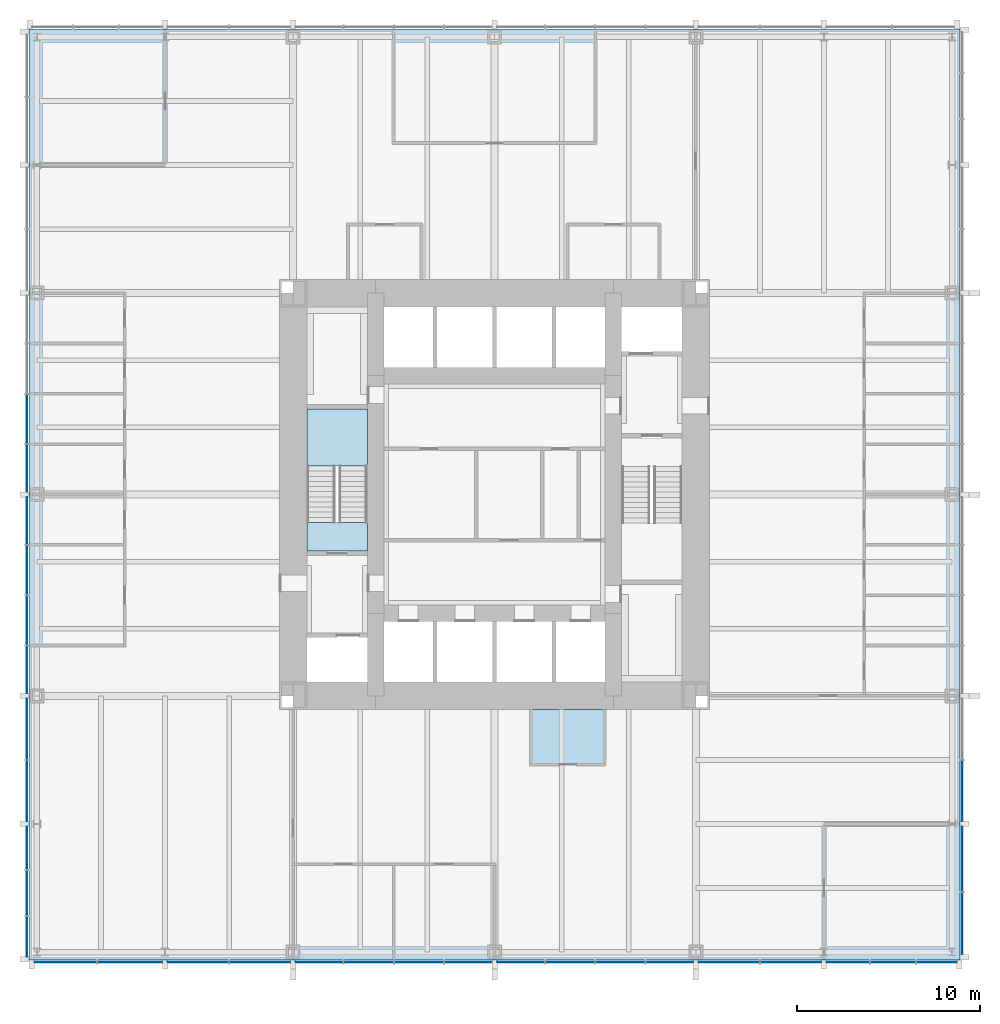
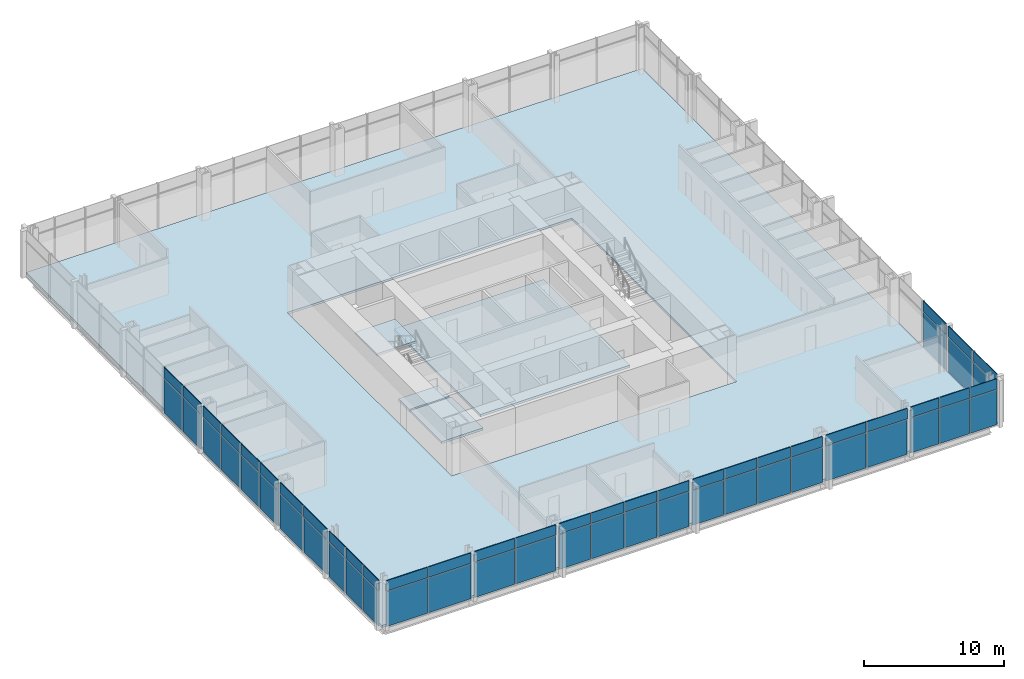
# One storey, part 7 of 13: 62 plates, 5 slabs, 4 elements without a shape of their own.
"""IFC4 building model written with IfcOpenShell, lengths in metres."""

from ifc_helpers import new_model, si_unit, direction, frame, origin, origin_2d, place, context, subcontext, project, spatial, polyline, rectangle, outline, extrude, material, layer, layer_set, type_object, element, aggregate, save


model = new_model("IFC4")

# Units and contexts
model_context = context("Model", 3, precision=1e-05, world=origin(), true_north=direction((0.0, 1.0)))
body_context = subcontext(model_context, "Body", "Model", "MODEL_VIEW")
ifc_project = project(units=[si_unit("LENGTHUNIT", "METRE"), si_unit("AREAUNIT", "SQUARE_METRE"), si_unit("VOLUMEUNIT", "CUBIC_METRE"), si_unit("PLANEANGLEUNIT", "RADIAN"), si_unit("MASSUNIT", "GRAM", prefix="KILO")], contexts=[model_context])

# Site, building, storey
site_placement = place(None, origin())
site = spatial("IfcSite", under=ifc_project, at=site_placement, CompositionType="ELEMENT")
building_placement = place(site_placement, origin())
building = spatial("IfcBuilding", under=site, at=building_placement, Name="Trevanion Tower", CompositionType="ELEMENT")
storey_placement = place(building_placement, frame((0.0, 0.0, 85.699951171875)))
storey = spatial("IfcBuildingStorey", under=building, at=storey_placement, Name="L20", CompositionType="ELEMENT", Elevation=85.699951171875)

# Curtain wall, plates
ifc_material_1 = material(Name="Aluminium and glass", Category="aluminium")
curtain_wall_type = type_object("IfcCurtainWallType", Name="CW1 curtain wall", PredefinedType="USERDEFINED", material=ifc_material_1)
curtain_wall_1_placement = place(storey_placement, origin())
curtain_wall_1 = element("IfcCurtainWall", 1, at=curtain_wall_1_placement, inside=storey, type_object=curtain_wall_type, Name="CW1 L20 0", ObjectType="UNITISED CURTAIN WALL", PredefinedType="USERDEFINED")
ifc_material_2 = material(Name="Aluminium spandrel panel", Category="aluminium")
ifc_layer_1 = layer(ifc_material_2, 0.06005859375)
ifc_layer_set_1 = layer_set([ifc_layer_1], Name="CW1 spandrel panel")
plate_type_1 = type_object("IfcPlateType", Name="CW1 spandrel panel", PredefinedType="CURTAIN_PANEL", material=ifc_layer_set_1)
plate_1_placement = place(storey_placement, frame((25.550048828125, -23.433837890625, 2.99755859375), z_axis=(0.0, 0.0, 1.0), x_axis=(0.0, 1.0, 0.0)))
plate_1 = element("IfcPlate", 2, at=plate_1_placement, type_object=plate_type_1, Name="CW1 panel 1.2", PredefinedType="CURTAIN_PANEL", context=body_context, shape_type="SweptSolid", body=[
    extrude(rectangle(XDim=3.37255859375, YDim=0.06005859375, at=origin_2d()), origin(), (0.0, 0.0, 1.0), 0.91259765625),
])
plate_2_placement = place(storey_placement, frame((25.550048828125, -19.911376953125, 2.99755859375), z_axis=(0.0, 0.0, 1.0), x_axis=(0.0, 1.0, 0.0)))
plate_2 = element("IfcPlate", 3, at=plate_2_placement, type_object=plate_type_1, Name="CW1 panel 2.2", PredefinedType="CURTAIN_PANEL", context=body_context, shape_type="SweptSolid", body=[
    extrude(rectangle(XDim=3.5224609375, YDim=0.06005859375, at=origin_2d()), origin(), (0.0, 0.0, 1.0), 0.91259765625),
])
plate_3_placement = place(storey_placement, frame((25.550048828125, -16.19384765625, 2.99755859375), z_axis=(0.0, 0.0, 1.0), x_axis=(0.0, 1.0, 0.0)))
plate_3 = element("IfcPlate", 4, at=plate_3_placement, type_object=plate_type_1, Name="CW1 panel 3.2", PredefinedType="CURTAIN_PANEL", context=body_context, shape_type="SweptSolid", body=[
    extrude(rectangle(XDim=3.3125, YDim=0.06005859375, at=origin_2d()), origin(), (0.0, 0.0, 1.0), 0.91259765625),
])

curtain_wall_2_placement = place(storey_placement, origin())
curtain_wall_2 = element("IfcCurtainWall", 5, at=curtain_wall_2_placement, inside=storey, type_object=curtain_wall_type, Name="CW1 L20 2", ObjectType="UNITISED CURTAIN WALL", PredefinedType="USERDEFINED")
plate_4_placement = place(storey_placement, frame((-25.550048828125, 4.125, 2.99755859375), z_axis=(0.0, 0.0, 1.0), x_axis=(0.0, -1.0, 0.0)))
plate_4 = element("IfcPlate", 6, at=plate_4_placement, type_object=plate_type_1, Name="CW1 panel 7.2", PredefinedType="CURTAIN_PANEL", context=body_context, shape_type="SweptSolid", body=[
    extrude(rectangle(XDim=2.675048828125, YDim=0.06005859375, at=origin_2d()), origin(), (0.0, 0.0, 1.0), 0.91259765625),
])
plate_5_placement = place(storey_placement, frame((-25.550048828125, 1.43115234375, 2.99755859375), z_axis=(0.0, 0.0, 1.0), x_axis=(0.0, -1.0, 0.0)))
plate_5 = element("IfcPlate", 7, at=plate_5_placement, type_object=plate_type_1, Name="CW1 panel 8.2", PredefinedType="CURTAIN_PANEL", context=body_context, shape_type="SweptSolid", body=[
    extrude(rectangle(XDim=2.5625, YDim=0.06005859375, at=origin_2d()), origin(), (0.0, 0.0, 1.0), 0.91259765625),
])
plate_6_placement = place(storey_placement, frame((-25.550048828125, -1.43115234375, 2.99755859375), z_axis=(0.0, 0.0, 1.0), x_axis=(0.0, -1.0, 0.0)))
plate_6 = element("IfcPlate", 8, at=plate_6_placement, type_object=plate_type_1, Name="CW1 panel 9.2", PredefinedType="CURTAIN_PANEL", context=body_context, shape_type="SweptSolid", body=[
    extrude(rectangle(XDim=2.5625, YDim=0.06005859375, at=origin_2d()), origin(), (0.0, 0.0, 1.0), 0.91259765625),
])
plate_7_placement = place(storey_placement, frame((-25.550048828125, -4.125, 2.99755859375), z_axis=(0.0, 0.0, 1.0), x_axis=(0.0, -1.0, 0.0)))
plate_7 = element("IfcPlate", 9, at=plate_7_placement, type_object=plate_type_1, Name="CW1 panel 10.2", PredefinedType="CURTAIN_PANEL", context=body_context, shape_type="SweptSolid", body=[
    extrude(rectangle(XDim=2.675048828125, YDim=0.06005859375, at=origin_2d()), origin(), (0.0, 0.0, 1.0), 0.91259765625),
])
plate_8_placement = place(storey_placement, frame((-25.550048828125, -6.875, 2.99755859375), z_axis=(0.0, 0.0, 1.0), x_axis=(0.0, -1.0, 0.0)))
plate_8 = element("IfcPlate", 10, at=plate_8_placement, type_object=plate_type_1, Name="CW1 panel 11.2", PredefinedType="CURTAIN_PANEL", context=body_context, shape_type="SweptSolid", body=[
    extrude(rectangle(XDim=2.675048828125, YDim=0.06005859375, at=origin_2d()), origin(), (0.0, 0.0, 1.0), 0.91259765625),
])
plate_9_placement = place(storey_placement, frame((-25.550048828125, -9.56884765625, 2.99755859375), z_axis=(0.0, 0.0, 1.0), x_axis=(0.0, -1.0, 0.0)))
plate_9 = element("IfcPlate", 11, at=plate_9_placement, type_object=plate_type_1, Name="CW1 panel 12.2", PredefinedType="CURTAIN_PANEL", context=body_context, shape_type="SweptSolid", body=[
    extrude(rectangle(XDim=2.5625, YDim=0.06005859375, at=origin_2d()), origin(), (0.0, 0.0, 1.0), 0.91259765625),
])
plate_10_placement = place(storey_placement, frame((-25.550048828125, -12.80615234375, 2.99755859375), z_axis=(0.0, 0.0, 1.0), x_axis=(0.0, -1.0, 0.0)))
plate_10 = element("IfcPlate", 12, at=plate_10_placement, type_object=plate_type_1, Name="CW1 panel 13.2", PredefinedType="CURTAIN_PANEL", context=body_context, shape_type="SweptSolid", body=[
    extrude(rectangle(XDim=3.3125, YDim=0.06005859375, at=origin_2d()), origin(), (0.0, 0.0, 1.0), 0.91259765625),
])
plate_11_placement = place(storey_placement, frame((-25.550048828125, -16.19384765625, 2.99755859375), z_axis=(0.0, 0.0, 1.0), x_axis=(0.0, -1.0, 0.0)))
plate_11 = element("IfcPlate", 13, at=plate_11_placement, type_object=plate_type_1, Name="CW1 panel 14.2", PredefinedType="CURTAIN_PANEL", context=body_context, shape_type="SweptSolid", body=[
    extrude(rectangle(XDim=3.3125, YDim=0.06005859375, at=origin_2d()), origin(), (0.0, 0.0, 1.0), 0.91259765625),
])
plate_12_placement = place(storey_placement, frame((-25.550048828125, -19.314697265625, 2.99755859375), z_axis=(0.0, 0.0, 1.0), x_axis=(0.0, -1.0, 0.0)))
plate_12 = element("IfcPlate", 14, at=plate_12_placement, type_object=plate_type_1, Name="CW1 panel 15.2", PredefinedType="CURTAIN_PANEL", context=body_context, shape_type="SweptSolid", body=[
    extrude(rectangle(XDim=2.3291015625, YDim=0.06005859375, at=origin_2d()), origin(), (0.0, 0.0, 1.0), 0.91259765625),
])
plate_13_placement = place(storey_placement, frame((-25.550048828125, -21.77490234375, 2.99755859375), z_axis=(0.0, 0.0, 1.0), x_axis=(0.0, -1.0, 0.0)))
plate_13 = element("IfcPlate", 15, at=plate_13_placement, type_object=plate_type_1, Name="CW1 panel 16.2", PredefinedType="CURTAIN_PANEL", context=body_context, shape_type="SweptSolid", body=[
    extrude(rectangle(XDim=2.441650390625, YDim=0.06005859375, at=origin_2d()), origin(), (0.0, 0.0, 1.0), 0.91259765625),
])
plate_14_placement = place(storey_placement, frame((-25.550048828125, -24.160400390625, 2.99755859375), z_axis=(0.0, 0.0, 1.0), x_axis=(0.0, -1.0, 0.0)))
plate_14 = element("IfcPlate", 16, at=plate_14_placement, type_object=plate_type_1, Name="CW1 panel 17.2", PredefinedType="CURTAIN_PANEL", context=body_context, shape_type="SweptSolid", body=[
    extrude(rectangle(XDim=2.17919921875, YDim=0.06005859375, at=origin_2d()), origin(), (0.0, 0.0, 1.0), 0.91259765625),
])

curtain_wall_3_placement = place(storey_placement, origin())
curtain_wall_3 = element("IfcCurtainWall", 17, at=curtain_wall_3_placement, inside=storey, type_object=curtain_wall_type, Name="CW1 L20 3", ObjectType="UNITISED CURTAIN WALL", PredefinedType="USERDEFINED")
plate_15_placement = place(storey_placement, frame((-23.433837890625, -25.550048828125, 2.99755859375), z_axis=(0.0, 0.0, 1.0), x_axis=(1.0, 0.0, 0.0)))
plate_15 = element("IfcPlate", 18, at=plate_15_placement, type_object=plate_type_1, Name="CW1 panel 1.2", PredefinedType="CURTAIN_PANEL", context=body_context, shape_type="SweptSolid", body=[
    extrude(rectangle(XDim=3.37255859375, YDim=0.06005859375, at=origin_2d()), origin(), (0.0, 0.0, 1.0), 0.91259765625),
])
plate_16_placement = place(storey_placement, frame((-19.911376953125, -25.550048828125, 2.99755859375), z_axis=(0.0, 0.0, 1.0), x_axis=(1.0, 0.0, 0.0)))
plate_16 = element("IfcPlate", 19, at=plate_16_placement, type_object=plate_type_1, Name="CW1 panel 2.2", PredefinedType="CURTAIN_PANEL", context=body_context, shape_type="SweptSolid", body=[
    extrude(rectangle(XDim=3.5224609375, YDim=0.06005859375, at=origin_2d()), origin(), (0.0, 0.0, 1.0), 0.91259765625),
])
plate_17_placement = place(storey_placement, frame((-16.19384765625, -25.550048828125, 2.99755859375), z_axis=(0.0, 0.0, 1.0), x_axis=(1.0, 0.0, 0.0)))
plate_17 = element("IfcPlate", 20, at=plate_17_placement, type_object=plate_type_1, Name="CW1 panel 3.2", PredefinedType="CURTAIN_PANEL", context=body_context, shape_type="SweptSolid", body=[
    extrude(rectangle(XDim=3.3125, YDim=0.06005859375, at=origin_2d()), origin(), (0.0, 0.0, 1.0), 0.91259765625),
])
plate_18_placement = place(storey_placement, frame((-12.806396484375, -25.550048828125, 2.99755859375), z_axis=(0.0, 0.0, 1.0), x_axis=(1.0, 0.0, 0.0)))
plate_18 = element("IfcPlate", 21, at=plate_18_placement, type_object=plate_type_1, Name="CW1 panel 4.2", PredefinedType="CURTAIN_PANEL", context=body_context, shape_type="SweptSolid", body=[
    extrude(rectangle(XDim=3.3125, YDim=0.06005859375, at=origin_2d()), origin(), (0.0, 0.0, 1.0), 0.91259765625),
])
plate_19_placement = place(storey_placement, frame((-9.56884765625, -25.550048828125, 2.99755859375), z_axis=(0.0, 0.0, 1.0), x_axis=(1.0, 0.0, 0.0)))
plate_19 = element("IfcPlate", 22, at=plate_19_placement, type_object=plate_type_1, Name="CW1 panel 5.2", PredefinedType="CURTAIN_PANEL", context=body_context, shape_type="SweptSolid", body=[
    extrude(rectangle(XDim=2.5625, YDim=0.06005859375, at=origin_2d()), origin(), (0.0, 0.0, 1.0), 0.91259765625),
])
plate_20_placement = place(storey_placement, frame((-6.875, -25.550048828125, 2.99755859375), z_axis=(0.0, 0.0, 1.0), x_axis=(1.0, 0.0, 0.0)))
plate_20 = element("IfcPlate", 23, at=plate_20_placement, type_object=plate_type_1, Name="CW1 panel 6.2", PredefinedType="CURTAIN_PANEL", context=body_context, shape_type="SweptSolid", body=[
    extrude(rectangle(XDim=2.675048828125, YDim=0.06005859375, at=origin_2d()), origin(), (0.0, 0.0, 1.0), 0.91259765625),
])
plate_21_placement = place(storey_placement, frame((-4.125, -25.550048828125, 2.99755859375), z_axis=(0.0, 0.0, 1.0), x_axis=(1.0, 0.0, 0.0)))
plate_21 = element("IfcPlate", 24, at=plate_21_placement, type_object=plate_type_1, Name="CW1 panel 7.2", PredefinedType="CURTAIN_PANEL", context=body_context, shape_type="SweptSolid", body=[
    extrude(rectangle(XDim=2.675048828125, YDim=0.06005859375, at=origin_2d()), origin(), (0.0, 0.0, 1.0), 0.91259765625),
])
plate_22_placement = place(storey_placement, frame((-1.43115234375, -25.550048828125, 2.99755859375), z_axis=(0.0, 0.0, 1.0), x_axis=(1.0, 0.0, 0.0)))
plate_22 = element("IfcPlate", 25, at=plate_22_placement, type_object=plate_type_1, Name="CW1 panel 8.2", PredefinedType="CURTAIN_PANEL", context=body_context, shape_type="SweptSolid", body=[
    extrude(rectangle(XDim=2.5625, YDim=0.06005859375, at=origin_2d()), origin(), (0.0, 0.0, 1.0), 0.91259765625),
])
plate_23_placement = place(storey_placement, frame((1.43115234375, -25.550048828125, 2.99755859375), z_axis=(0.0, 0.0, 1.0), x_axis=(1.0, 0.0, 0.0)))
plate_23 = element("IfcPlate", 26, at=plate_23_placement, type_object=plate_type_1, Name="CW1 panel 9.2", PredefinedType="CURTAIN_PANEL", context=body_context, shape_type="SweptSolid", body=[
    extrude(rectangle(XDim=2.5625, YDim=0.06005859375, at=origin_2d()), origin(), (0.0, 0.0, 1.0), 0.91259765625),
])
plate_24_placement = place(storey_placement, frame((4.125, -25.550048828125, 2.99755859375), z_axis=(0.0, 0.0, 1.0), x_axis=(1.0, 0.0, 0.0)))
plate_24 = element("IfcPlate", 27, at=plate_24_placement, type_object=plate_type_1, Name="CW1 panel 10.2", PredefinedType="CURTAIN_PANEL", context=body_context, shape_type="SweptSolid", body=[
    extrude(rectangle(XDim=2.675048828125, YDim=0.06005859375, at=origin_2d()), origin(), (0.0, 0.0, 1.0), 0.91259765625),
])
plate_25_placement = place(storey_placement, frame((6.875, -25.550048828125, 2.99755859375), z_axis=(0.0, 0.0, 1.0), x_axis=(1.0, 0.0, 0.0)))
plate_25 = element("IfcPlate", 28, at=plate_25_placement, type_object=plate_type_1, Name="CW1 panel 11.2", PredefinedType="CURTAIN_PANEL", context=body_context, shape_type="SweptSolid", body=[
    extrude(rectangle(XDim=2.675048828125, YDim=0.06005859375, at=origin_2d()), origin(), (0.0, 0.0, 1.0), 0.91259765625),
])
plate_26_placement = place(storey_placement, frame((9.56884765625, -25.550048828125, 2.99755859375), z_axis=(0.0, 0.0, 1.0), x_axis=(1.0, 0.0, 0.0)))
plate_26 = element("IfcPlate", 29, at=plate_26_placement, type_object=plate_type_1, Name="CW1 panel 12.2", PredefinedType="CURTAIN_PANEL", context=body_context, shape_type="SweptSolid", body=[
    extrude(rectangle(XDim=2.5625, YDim=0.06005859375, at=origin_2d()), origin(), (0.0, 0.0, 1.0), 0.91259765625),
])
plate_27_placement = place(storey_placement, frame((12.80615234375, -25.550048828125, 2.99755859375), z_axis=(0.0, 0.0, 1.0), x_axis=(1.0, 0.0, 0.0)))
plate_27 = element("IfcPlate", 30, at=plate_27_placement, type_object=plate_type_1, Name="CW1 panel 13.2", PredefinedType="CURTAIN_PANEL", context=body_context, shape_type="SweptSolid", body=[
    extrude(rectangle(XDim=3.3125, YDim=0.06005859375, at=origin_2d()), origin(), (0.0, 0.0, 1.0), 0.91259765625),
])
plate_28_placement = place(storey_placement, frame((16.19384765625, -25.550048828125, 2.99755859375), z_axis=(0.0, 0.0, 1.0), x_axis=(1.0, 0.0, 0.0)))
plate_28 = element("IfcPlate", 31, at=plate_28_placement, type_object=plate_type_1, Name="CW1 panel 14.2", PredefinedType="CURTAIN_PANEL", context=body_context, shape_type="SweptSolid", body=[
    extrude(rectangle(XDim=3.3125, YDim=0.06005859375, at=origin_2d()), origin(), (0.0, 0.0, 1.0), 0.91259765625),
])
plate_29_placement = place(storey_placement, frame((19.314697265625, -25.550048828125, 2.99755859375), z_axis=(0.0, 0.0, 1.0), x_axis=(1.0, 0.0, 0.0)))
plate_29 = element("IfcPlate", 32, at=plate_29_placement, type_object=plate_type_1, Name="CW1 panel 15.2", PredefinedType="CURTAIN_PANEL", context=body_context, shape_type="SweptSolid", body=[
    extrude(rectangle(XDim=2.3291015625, YDim=0.06005859375, at=origin_2d()), origin(), (0.0, 0.0, 1.0), 0.91259765625),
])
plate_30_placement = place(storey_placement, frame((21.77490234375, -25.550048828125, 2.99755859375), z_axis=(0.0, 0.0, 1.0), x_axis=(1.0, 0.0, 0.0)))
plate_30 = element("IfcPlate", 33, at=plate_30_placement, type_object=plate_type_1, Name="CW1 panel 16.2", PredefinedType="CURTAIN_PANEL", context=body_context, shape_type="SweptSolid", body=[
    extrude(rectangle(XDim=2.441650390625, YDim=0.06005859375, at=origin_2d()), origin(), (0.0, 0.0, 1.0), 0.91259765625),
])
plate_31_placement = place(storey_placement, frame((24.160400390625, -25.550048828125, 2.99755859375), z_axis=(0.0, 0.0, 1.0), x_axis=(1.0, 0.0, 0.0)))
plate_31 = element("IfcPlate", 34, at=plate_31_placement, type_object=plate_type_1, Name="CW1 panel 17.2", PredefinedType="CURTAIN_PANEL", context=body_context, shape_type="SweptSolid", body=[
    extrude(rectangle(XDim=2.17919921875, YDim=0.06005859375, at=origin_2d()), origin(), (0.0, 0.0, 1.0), 0.91259765625),
])

# Plate
ifc_material_3 = material(Name="Insulating glass unit", Category="glass")
ifc_layer_2 = layer(ifc_material_3, 0.028076171875)
ifc_layer_set_2 = layer_set([ifc_layer_2], Name="CW1 vision panel")
plate_type_2 = type_object("IfcPlateType", Name="CW1 vision panel", PredefinedType="CURTAIN_PANEL", material=ifc_layer_set_2)
plate_32_placement = place(storey_placement, frame((25.550048828125, -23.433837890625, -0.114990234375), z_axis=(0.0, 0.0, 1.0), x_axis=(0.0, 1.0, 0.0)))
plate_32 = element("IfcPlate", 35, at=plate_32_placement, type_object=plate_type_2, Name="CW1 panel 1.1", PredefinedType="CURTAIN_PANEL", context=body_context, shape_type="SweptSolid", body=[
    extrude(rectangle(XDim=3.37255859375, YDim=0.028076171875, at=origin_2d()), origin(), (0.0, 0.0, 1.0), 3.03759765625),
])

plate_33_placement = place(storey_placement, frame((25.550048828125, -19.911376953125, -0.114990234375), z_axis=(0.0, 0.0, 1.0), x_axis=(0.0, 1.0, 0.0)))
plate_33 = element("IfcPlate", 36, at=plate_33_placement, type_object=plate_type_2, Name="CW1 panel 2.1", PredefinedType="CURTAIN_PANEL", context=body_context, shape_type="SweptSolid", body=[
    extrude(rectangle(XDim=3.5224609375, YDim=0.028076171875, at=origin_2d()), origin(), (0.0, 0.0, 1.0), 3.03759765625),
])

plate_34_placement = place(storey_placement, frame((25.550048828125, -16.19384765625, -0.114990234375), z_axis=(0.0, 0.0, 1.0), x_axis=(0.0, 1.0, 0.0)))
plate_34 = element("IfcPlate", 37, at=plate_34_placement, type_object=plate_type_2, Name="CW1 panel 3.1", PredefinedType="CURTAIN_PANEL", context=body_context, shape_type="SweptSolid", body=[
    extrude(rectangle(XDim=3.3125, YDim=0.028076171875, at=origin_2d()), origin(), (0.0, 0.0, 1.0), 3.03759765625),
])

aggregate(curtain_wall_1, [plate_32, plate_1, plate_33, plate_2, plate_34, plate_3])

plate_35_placement = place(storey_placement, frame((-25.550048828125, 4.125, -0.114990234375), z_axis=(0.0, 0.0, 1.0), x_axis=(0.0, -1.0, 0.0)))
plate_35 = element("IfcPlate", 38, at=plate_35_placement, type_object=plate_type_2, Name="CW1 panel 7.1", PredefinedType="CURTAIN_PANEL", context=body_context, shape_type="SweptSolid", body=[
    extrude(rectangle(XDim=2.675048828125, YDim=0.028076171875, at=origin_2d()), origin(), (0.0, 0.0, 1.0), 3.03759765625),
])

plate_36_placement = place(storey_placement, frame((-25.550048828125, 1.43115234375, -0.114990234375), z_axis=(0.0, 0.0, 1.0), x_axis=(0.0, -1.0, 0.0)))
plate_36 = element("IfcPlate", 39, at=plate_36_placement, type_object=plate_type_2, Name="CW1 panel 8.1", PredefinedType="CURTAIN_PANEL", context=body_context, shape_type="SweptSolid", body=[
    extrude(rectangle(XDim=2.5625, YDim=0.028076171875, at=origin_2d()), origin(), (0.0, 0.0, 1.0), 3.03759765625),
])

plate_37_placement = place(storey_placement, frame((-25.550048828125, -1.43115234375, -0.114990234375), z_axis=(0.0, 0.0, 1.0), x_axis=(0.0, -1.0, 0.0)))
plate_37 = element("IfcPlate", 40, at=plate_37_placement, type_object=plate_type_2, Name="CW1 panel 9.1", PredefinedType="CURTAIN_PANEL", context=body_context, shape_type="SweptSolid", body=[
    extrude(rectangle(XDim=2.5625, YDim=0.028076171875, at=origin_2d()), origin(), (0.0, 0.0, 1.0), 3.03759765625),
])

plate_38_placement = place(storey_placement, frame((-25.550048828125, -4.125, -0.114990234375), z_axis=(0.0, 0.0, 1.0), x_axis=(0.0, -1.0, 0.0)))
plate_38 = element("IfcPlate", 41, at=plate_38_placement, type_object=plate_type_2, Name="CW1 panel 10.1", PredefinedType="CURTAIN_PANEL", context=body_context, shape_type="SweptSolid", body=[
    extrude(rectangle(XDim=2.675048828125, YDim=0.028076171875, at=origin_2d()), origin(), (0.0, 0.0, 1.0), 3.03759765625),
])

plate_39_placement = place(storey_placement, frame((-25.550048828125, -6.875, -0.114990234375), z_axis=(0.0, 0.0, 1.0), x_axis=(0.0, -1.0, 0.0)))
plate_39 = element("IfcPlate", 42, at=plate_39_placement, type_object=plate_type_2, Name="CW1 panel 11.1", PredefinedType="CURTAIN_PANEL", context=body_context, shape_type="SweptSolid", body=[
    extrude(rectangle(XDim=2.675048828125, YDim=0.028076171875, at=origin_2d()), origin(), (0.0, 0.0, 1.0), 3.03759765625),
])

plate_40_placement = place(storey_placement, frame((-25.550048828125, -9.56884765625, -0.114990234375), z_axis=(0.0, 0.0, 1.0), x_axis=(0.0, -1.0, 0.0)))
plate_40 = element("IfcPlate", 43, at=plate_40_placement, type_object=plate_type_2, Name="CW1 panel 12.1", PredefinedType="CURTAIN_PANEL", context=body_context, shape_type="SweptSolid", body=[
    extrude(rectangle(XDim=2.5625, YDim=0.028076171875, at=origin_2d()), origin(), (0.0, 0.0, 1.0), 3.03759765625),
])

plate_41_placement = place(storey_placement, frame((-25.550048828125, -12.80615234375, -0.114990234375), z_axis=(0.0, 0.0, 1.0), x_axis=(0.0, -1.0, 0.0)))
plate_41 = element("IfcPlate", 44, at=plate_41_placement, type_object=plate_type_2, Name="CW1 panel 13.1", PredefinedType="CURTAIN_PANEL", context=body_context, shape_type="SweptSolid", body=[
    extrude(rectangle(XDim=3.3125, YDim=0.028076171875, at=origin_2d()), origin(), (0.0, 0.0, 1.0), 3.03759765625),
])

plate_42_placement = place(storey_placement, frame((-25.550048828125, -16.19384765625, -0.114990234375), z_axis=(0.0, 0.0, 1.0), x_axis=(0.0, -1.0, 0.0)))
plate_42 = element("IfcPlate", 45, at=plate_42_placement, type_object=plate_type_2, Name="CW1 panel 14.1", PredefinedType="CURTAIN_PANEL", context=body_context, shape_type="SweptSolid", body=[
    extrude(rectangle(XDim=3.3125, YDim=0.028076171875, at=origin_2d()), origin(), (0.0, 0.0, 1.0), 3.03759765625),
])

plate_43_placement = place(storey_placement, frame((-25.550048828125, -19.314697265625, -0.114990234375), z_axis=(0.0, 0.0, 1.0), x_axis=(0.0, -1.0, 0.0)))
plate_43 = element("IfcPlate", 46, at=plate_43_placement, type_object=plate_type_2, Name="CW1 panel 15.1", PredefinedType="CURTAIN_PANEL", context=body_context, shape_type="SweptSolid", body=[
    extrude(rectangle(XDim=2.3291015625, YDim=0.028076171875, at=origin_2d()), origin(), (0.0, 0.0, 1.0), 3.03759765625),
])

plate_44_placement = place(storey_placement, frame((-25.550048828125, -21.77490234375, -0.114990234375), z_axis=(0.0, 0.0, 1.0), x_axis=(0.0, -1.0, 0.0)))
plate_44 = element("IfcPlate", 47, at=plate_44_placement, type_object=plate_type_2, Name="CW1 panel 16.1", PredefinedType="CURTAIN_PANEL", context=body_context, shape_type="SweptSolid", body=[
    extrude(rectangle(XDim=2.441650390625, YDim=0.028076171875, at=origin_2d()), origin(), (0.0, 0.0, 1.0), 3.03759765625),
])

plate_45_placement = place(storey_placement, frame((-25.550048828125, -24.160400390625, -0.114990234375), z_axis=(0.0, 0.0, 1.0), x_axis=(0.0, -1.0, 0.0)))
plate_45 = element("IfcPlate", 48, at=plate_45_placement, type_object=plate_type_2, Name="CW1 panel 17.1", PredefinedType="CURTAIN_PANEL", context=body_context, shape_type="SweptSolid", body=[
    extrude(rectangle(XDim=2.17919921875, YDim=0.028076171875, at=origin_2d()), origin(), (0.0, 0.0, 1.0), 3.03759765625),
])

aggregate(curtain_wall_2, [plate_35, plate_4, plate_36, plate_5, plate_37, plate_6, plate_38, plate_7, plate_39, plate_8, plate_40, plate_9, plate_41, plate_10, plate_42, plate_11, plate_43, plate_12, plate_44, plate_13, plate_45, plate_14])

plate_46_placement = place(storey_placement, frame((-23.433837890625, -25.550048828125, -0.114990234375), z_axis=(0.0, 0.0, 1.0), x_axis=(1.0, 0.0, 0.0)))
plate_46 = element("IfcPlate", 49, at=plate_46_placement, type_object=plate_type_2, Name="CW1 panel 1.1", PredefinedType="CURTAIN_PANEL", context=body_context, shape_type="SweptSolid", body=[
    extrude(rectangle(XDim=3.37255859375, YDim=0.028076171875, at=origin_2d()), origin(), (0.0, 0.0, 1.0), 3.03759765625),
])

plate_47_placement = place(storey_placement, frame((-19.911376953125, -25.550048828125, -0.114990234375), z_axis=(0.0, 0.0, 1.0), x_axis=(1.0, 0.0, 0.0)))
plate_47 = element("IfcPlate", 50, at=plate_47_placement, type_object=plate_type_2, Name="CW1 panel 2.1", PredefinedType="CURTAIN_PANEL", context=body_context, shape_type="SweptSolid", body=[
    extrude(rectangle(XDim=3.5224609375, YDim=0.028076171875, at=origin_2d()), origin(), (0.0, 0.0, 1.0), 3.03759765625),
])

plate_48_placement = place(storey_placement, frame((-16.19384765625, -25.550048828125, -0.114990234375), z_axis=(0.0, 0.0, 1.0), x_axis=(1.0, 0.0, 0.0)))
plate_48 = element("IfcPlate", 51, at=plate_48_placement, type_object=plate_type_2, Name="CW1 panel 3.1", PredefinedType="CURTAIN_PANEL", context=body_context, shape_type="SweptSolid", body=[
    extrude(rectangle(XDim=3.3125, YDim=0.028076171875, at=origin_2d()), origin(), (0.0, 0.0, 1.0), 3.03759765625),
])

plate_49_placement = place(storey_placement, frame((-12.806396484375, -25.550048828125, -0.114990234375), z_axis=(0.0, 0.0, 1.0), x_axis=(1.0, 0.0, 0.0)))
plate_49 = element("IfcPlate", 52, at=plate_49_placement, type_object=plate_type_2, Name="CW1 panel 4.1", PredefinedType="CURTAIN_PANEL", context=body_context, shape_type="SweptSolid", body=[
    extrude(rectangle(XDim=3.3125, YDim=0.028076171875, at=origin_2d()), origin(), (0.0, 0.0, 1.0), 3.03759765625),
])

plate_50_placement = place(storey_placement, frame((-9.56884765625, -25.550048828125, -0.114990234375), z_axis=(0.0, 0.0, 1.0), x_axis=(1.0, 0.0, 0.0)))
plate_50 = element("IfcPlate", 53, at=plate_50_placement, type_object=plate_type_2, Name="CW1 panel 5.1", PredefinedType="CURTAIN_PANEL", context=body_context, shape_type="SweptSolid", body=[
    extrude(rectangle(XDim=2.5625, YDim=0.028076171875, at=origin_2d()), origin(), (0.0, 0.0, 1.0), 3.03759765625),
])

plate_51_placement = place(storey_placement, frame((-6.875, -25.550048828125, -0.114990234375), z_axis=(0.0, 0.0, 1.0), x_axis=(1.0, 0.0, 0.0)))
plate_51 = element("IfcPlate", 54, at=plate_51_placement, type_object=plate_type_2, Name="CW1 panel 6.1", PredefinedType="CURTAIN_PANEL", context=body_context, shape_type="SweptSolid", body=[
    extrude(rectangle(XDim=2.675048828125, YDim=0.028076171875, at=origin_2d()), origin(), (0.0, 0.0, 1.0), 3.03759765625),
])

plate_52_placement = place(storey_placement, frame((-4.125, -25.550048828125, -0.114990234375), z_axis=(0.0, 0.0, 1.0), x_axis=(1.0, 0.0, 0.0)))
plate_52 = element("IfcPlate", 55, at=plate_52_placement, type_object=plate_type_2, Name="CW1 panel 7.1", PredefinedType="CURTAIN_PANEL", context=body_context, shape_type="SweptSolid", body=[
    extrude(rectangle(XDim=2.675048828125, YDim=0.028076171875, at=origin_2d()), origin(), (0.0, 0.0, 1.0), 3.03759765625),
])

plate_53_placement = place(storey_placement, frame((-1.43115234375, -25.550048828125, -0.114990234375), z_axis=(0.0, 0.0, 1.0), x_axis=(1.0, 0.0, 0.0)))
plate_53 = element("IfcPlate", 56, at=plate_53_placement, type_object=plate_type_2, Name="CW1 panel 8.1", PredefinedType="CURTAIN_PANEL", context=body_context, shape_type="SweptSolid", body=[
    extrude(rectangle(XDim=2.5625, YDim=0.028076171875, at=origin_2d()), origin(), (0.0, 0.0, 1.0), 3.03759765625),
])

plate_54_placement = place(storey_placement, frame((1.43115234375, -25.550048828125, -0.114990234375), z_axis=(0.0, 0.0, 1.0), x_axis=(1.0, 0.0, 0.0)))
plate_54 = element("IfcPlate", 57, at=plate_54_placement, type_object=plate_type_2, Name="CW1 panel 9.1", PredefinedType="CURTAIN_PANEL", context=body_context, shape_type="SweptSolid", body=[
    extrude(rectangle(XDim=2.5625, YDim=0.028076171875, at=origin_2d()), origin(), (0.0, 0.0, 1.0), 3.03759765625),
])

plate_55_placement = place(storey_placement, frame((4.125, -25.550048828125, -0.114990234375), z_axis=(0.0, 0.0, 1.0), x_axis=(1.0, 0.0, 0.0)))
plate_55 = element("IfcPlate", 58, at=plate_55_placement, type_object=plate_type_2, Name="CW1 panel 10.1", PredefinedType="CURTAIN_PANEL", context=body_context, shape_type="SweptSolid", body=[
    extrude(rectangle(XDim=2.675048828125, YDim=0.028076171875, at=origin_2d()), origin(), (0.0, 0.0, 1.0), 3.03759765625),
])

plate_56_placement = place(storey_placement, frame((6.875, -25.550048828125, -0.114990234375), z_axis=(0.0, 0.0, 1.0), x_axis=(1.0, 0.0, 0.0)))
plate_56 = element("IfcPlate", 59, at=plate_56_placement, type_object=plate_type_2, Name="CW1 panel 11.1", PredefinedType="CURTAIN_PANEL", context=body_context, shape_type="SweptSolid", body=[
    extrude(rectangle(XDim=2.675048828125, YDim=0.028076171875, at=origin_2d()), origin(), (0.0, 0.0, 1.0), 3.03759765625),
])

plate_57_placement = place(storey_placement, frame((9.56884765625, -25.550048828125, -0.114990234375), z_axis=(0.0, 0.0, 1.0), x_axis=(1.0, 0.0, 0.0)))
plate_57 = element("IfcPlate", 60, at=plate_57_placement, type_object=plate_type_2, Name="CW1 panel 12.1", PredefinedType="CURTAIN_PANEL", context=body_context, shape_type="SweptSolid", body=[
    extrude(rectangle(XDim=2.5625, YDim=0.028076171875, at=origin_2d()), origin(), (0.0, 0.0, 1.0), 3.03759765625),
])

plate_58_placement = place(storey_placement, frame((12.80615234375, -25.550048828125, -0.114990234375), z_axis=(0.0, 0.0, 1.0), x_axis=(1.0, 0.0, 0.0)))
plate_58 = element("IfcPlate", 61, at=plate_58_placement, type_object=plate_type_2, Name="CW1 panel 13.1", PredefinedType="CURTAIN_PANEL", context=body_context, shape_type="SweptSolid", body=[
    extrude(rectangle(XDim=3.3125, YDim=0.028076171875, at=origin_2d()), origin(), (0.0, 0.0, 1.0), 3.03759765625),
])

plate_59_placement = place(storey_placement, frame((16.19384765625, -25.550048828125, -0.114990234375), z_axis=(0.0, 0.0, 1.0), x_axis=(1.0, 0.0, 0.0)))
plate_59 = element("IfcPlate", 62, at=plate_59_placement, type_object=plate_type_2, Name="CW1 panel 14.1", PredefinedType="CURTAIN_PANEL", context=body_context, shape_type="SweptSolid", body=[
    extrude(rectangle(XDim=3.3125, YDim=0.028076171875, at=origin_2d()), origin(), (0.0, 0.0, 1.0), 3.03759765625),
])

plate_60_placement = place(storey_placement, frame((19.314697265625, -25.550048828125, -0.114990234375), z_axis=(0.0, 0.0, 1.0), x_axis=(1.0, 0.0, 0.0)))
plate_60 = element("IfcPlate", 63, at=plate_60_placement, type_object=plate_type_2, Name="CW1 panel 15.1", PredefinedType="CURTAIN_PANEL", context=body_context, shape_type="SweptSolid", body=[
    extrude(rectangle(XDim=2.3291015625, YDim=0.028076171875, at=origin_2d()), origin(), (0.0, 0.0, 1.0), 3.03759765625),
])

plate_61_placement = place(storey_placement, frame((21.77490234375, -25.550048828125, -0.114990234375), z_axis=(0.0, 0.0, 1.0), x_axis=(1.0, 0.0, 0.0)))
plate_61 = element("IfcPlate", 64, at=plate_61_placement, type_object=plate_type_2, Name="CW1 panel 16.1", PredefinedType="CURTAIN_PANEL", context=body_context, shape_type="SweptSolid", body=[
    extrude(rectangle(XDim=2.441650390625, YDim=0.028076171875, at=origin_2d()), origin(), (0.0, 0.0, 1.0), 3.03759765625),
])

plate_62_placement = place(storey_placement, frame((24.160400390625, -25.550048828125, -0.114990234375), z_axis=(0.0, 0.0, 1.0), x_axis=(1.0, 0.0, 0.0)))
plate_62 = element("IfcPlate", 65, at=plate_62_placement, type_object=plate_type_2, Name="CW1 panel 17.1", PredefinedType="CURTAIN_PANEL", context=body_context, shape_type="SweptSolid", body=[
    extrude(rectangle(XDim=2.17919921875, YDim=0.028076171875, at=origin_2d()), origin(), (0.0, 0.0, 1.0), 3.03759765625),
])

aggregate(curtain_wall_3, [plate_46, plate_15, plate_47, plate_16, plate_48, plate_17, plate_49, plate_18, plate_50, plate_19, plate_51, plate_20, plate_52, plate_21, plate_53, plate_22, plate_54, plate_23, plate_55, plate_24, plate_56, plate_25, plate_57, plate_26, plate_58, plate_27, plate_59, plate_28, plate_60, plate_29, plate_61, plate_30, plate_62, plate_31])

# Slabs
ifc_material_4 = material(Name="Concrete 5,000 psi on composite metal deck", Category="concrete")
ifc_layer_3 = layer(ifc_material_4, 0.18994140625)
ifc_layer_set_3 = layer_set([ifc_layer_3], Name="SL1 composite floor 190")
slab_type_1 = type_object("IfcSlabType", Name="SL1 composite floor 190", PredefinedType="FLOOR", material=ifc_layer_set_3)
slab_1_placement = place(storey_placement, frame((0.0, 0.0, -0.18994140625)))
element("IfcSlab", 66, at=slab_1_placement, inside=storey, type_object=slab_type_1, Name="SL1 L20 floor", PredefinedType="FLOOR", context=body_context, shape_type="SweptSolid", body=[
    extrude(outline(polyline([(25.419921875, -25.419921875), (25.419921875, 25.419921875), (-25.419921875, 25.419921875), (-25.419921875, -25.419921875), (25.419921875, -25.419921875)]), holes=[polyline([(11.75, -11.75), (11.75, 11.75), (-11.75, 11.75), (-11.75, -11.75), (11.75, -11.75)])]), origin(), (0.0, 0.0, 1.0), 0.18994140625),
])
ifc_material_5 = material(Name="Concrete 5,000 psi", Category="concrete")
ifc_layer_4 = layer(ifc_material_5, 0.199951171875)
ifc_layer_set_4 = layer_set([ifc_layer_4], Name="SL2 core floor 200")
slab_type_2 = type_object("IfcSlabType", Name="SL2 core floor 200", PredefinedType="FLOOR", material=ifc_layer_set_4)
slab_2_placement = place(storey_placement, frame((0.0, 0.0, -0.199951171875)))
element("IfcSlab", 67, at=slab_2_placement, inside=storey, type_object=slab_type_2, Name="SL2 L20 core floor 2", PredefinedType="FLOOR", context=body_context, shape_type="SweptSolid", body=[
    extrude(outline(polyline([(-6.830078125, -3.205078125), (-6.830078125, -7.695068359375), (-10.25, -7.695068359375), (-10.25, -3.205078125), (-6.830078125, -3.205078125)])), origin(), (0.0, 0.0, 1.0), 0.199951171875),
])
slab_3_placement = place(storey_placement, frame((0.0, 0.0, -0.199951171875)))
element("IfcSlab", 68, at=slab_3_placement, inside=storey, type_object=slab_type_2, Name="SL2 L20 core floor 3", PredefinedType="FLOOR", context=body_context, shape_type="SweptSolid", body=[
    extrude(outline(polyline([(6.169921875, -6.169921875), (-6.169921875, -6.169921875), (-6.169921875, 6.169921875), (6.169921875, 6.169921875), (6.169921875, -6.169921875)])), origin(), (0.0, 0.0, 1.0), 0.199951171875),
])

# Stair, slabs
ifc_material_6 = material(Name="Concrete 5,000 psi on steel stringers", Category="concrete")
stair_type = type_object("IfcStairType", Name="ST stair", PredefinedType="HALF_TURN_STAIR", material=ifc_material_6)
stair_placement = place(storey_placement, origin())
stair = element("IfcStair", 69, at=stair_placement, inside=storey, type_object=stair_type, Name="ST2 L20", PredefinedType="HALF_TURN_STAIR")
ifc_material_7 = material(Name="Concrete 5,000 psi in steel pan", Category="concrete")
ifc_layer_5 = layer(ifc_material_7, 0.199951171875)
ifc_layer_set_5 = layer_set([ifc_layer_5], Name="STL stair landing 200")
slab_type_3 = type_object("IfcSlabType", Name="STL stair landing 200", PredefinedType="LANDING", material=ifc_layer_set_5)
slab_4_placement = place(storey_placement, frame((0.0, 0.0, -0.199951171875)))
slab_4 = element("IfcSlab", 70, at=slab_4_placement, type_object=slab_type_3, Name="ST2 landing 1", PredefinedType="LANDING", context=body_context, shape_type="SweptSolid", body=[
    extrude(outline(polyline([(-6.949951171875, -1.52490234375), (-10.25, -1.52490234375), (-10.25, -3.074951171875), (-6.949951171875, -3.074951171875), (-6.949951171875, -1.52490234375)])), origin(), (0.0, 0.0, 1.0), 0.199951171875),
])
slab_5_placement = place(storey_placement, frame((0.0, 0.0, 1.85009765625)))
slab_5 = element("IfcSlab", 71, at=slab_5_placement, type_object=slab_type_3, Name="ST2 landing 2", PredefinedType="LANDING", context=body_context, shape_type="SweptSolid", body=[
    extrude(outline(polyline([(-6.949951171875, 4.675048828125), (-10.25, 4.675048828125), (-10.25, 1.554931640625), (-6.949951171875, 1.554931640625), (-6.949951171875, 4.675048828125)])), origin(), (0.0, 0.0, 1.0), 0.199951171875),
])
aggregate(stair, [slab_4, slab_5])

save(model, "model.ifc")
